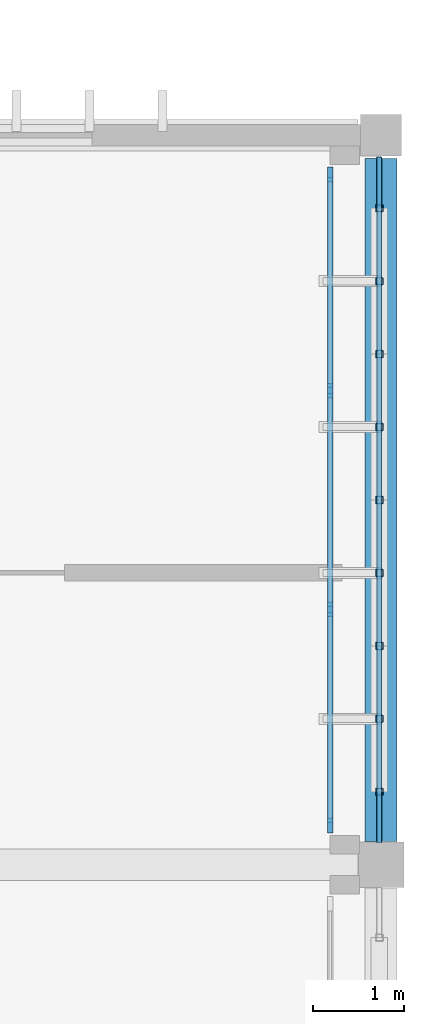
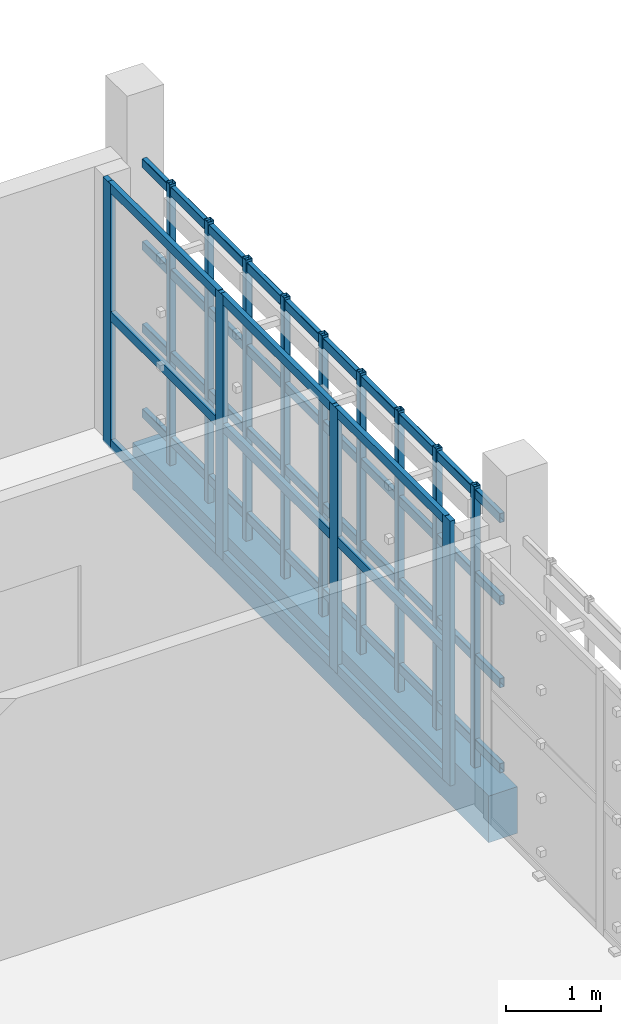
# One storey, part 23 of 48: 26 members, 1 beam, 1 element without a shape of its own.
"""IFC4 building model written with IfcOpenShell, lengths in metres."""

from ifc_helpers import new_model, si_unit, direction, frame, origin, origin_2d, place, context, subcontext, project, spatial, rectangle, hollow_rectangle, extrude, material, layer, layer_set, material_profile, profile_set, type_object, element, aggregate, save


model = new_model("IFC4")

# Units and contexts
model_context = context("Model", 3, precision=1e-05, world=origin(), true_north=direction((0.0, 1.0)))
body_context = subcontext(model_context, "Body", "Model", "MODEL_VIEW")
ifc_project = project(units=[si_unit("LENGTHUNIT", "METRE"), si_unit("AREAUNIT", "SQUARE_METRE"), si_unit("VOLUMEUNIT", "CUBIC_METRE"), si_unit("PLANEANGLEUNIT", "RADIAN"), si_unit("MASSUNIT", "GRAM", prefix="KILO")], contexts=[model_context])

# Site, building, storey
site_placement = place(None, origin())
site = spatial("IfcSite", under=ifc_project, at=site_placement, CompositionType="ELEMENT")
building_placement = place(site_placement, origin())
building = spatial("IfcBuilding", under=site, at=building_placement, Name="Jelvoka-Kovrelna Polytechnic", CompositionType="ELEMENT")
storey_placement = place(building_placement, frame((0.0, 0.0, 22.199951171875)))
storey = spatial("IfcBuildingStorey", under=building, at=storey_placement, Name="L06", CompositionType="ELEMENT", Elevation=22.199951171875)

# Beam
ifc_material_1 = material(Name="Concrete C35/45", Category="concrete")
ifc_material_profile_1 = material_profile(ifc_material_1, rectangle(XDim=0.35009765625, YDim=0.60009765625, at=origin_2d()), Name="RC 350x600")
ifc_profile_set_1 = profile_set([ifc_material_profile_1], Name="Concrete C35/45")
beam_type = type_object("IfcBeamType", Name="Beam_RC_350x600", PredefinedType="BEAM", material=ifc_profile_set_1)
beam_placement = place(storey_placement, frame((200.0, 40.2548828125, -0.5400390625), z_axis=(0.0, 1.0, 0.0), x_axis=(-1.0, 0.0, 0.0)))
element("IfcBeam", 1, at=beam_placement, inside=storey, type_object=beam_type, Name="L06 beam 1697", PredefinedType="BEAM", context=body_context, shape_type="SweptSolid", body=[
    extrude(rectangle(XDim=0.35009765625, YDim=0.60009765625, at=origin_2d()), origin(), (0.0, 0.0, 1.0), 7.490234375),
])

# Members
ifc_material_2 = material(Name="Structural steel S355J2H", Category="steel")
ifc_material_profile_2 = material_profile(ifc_material_2, hollow_rectangle(XDim=0.06005859375, YDim=0.1201171875, WallThickness=0.0048828125, InnerFilletRadius=0.0048828125, OuterFilletRadius=0.007568359375, at=origin_2d()), Name="120x60x5.0 RHS")
ifc_profile_set_2 = profile_set([ifc_material_profile_2], Name="Structural steel S355J2H")
member_type_1 = type_object("IfcMemberType", Name="Member_Strut_RHS120", PredefinedType="STRUT", material=ifc_profile_set_2)
for number, where, z_axis, x_axis, name in (
    (2, (199.97998046875, 40.239990234375, 0.080078125), (0.0, 1.0, 0.0), (-1.0, 0.0, 0.0), "L06 terracotta screen horizontal strut 0573"),
    (3, (199.97998046875, 40.239990234375, 1.17138671875), (0.0, 1.0, 0.0), (-1.0, 0.0, 0.0), "L06 terracotta screen horizontal strut 0574"),
    (4, (199.97998046875, 40.239990234375, 2.230712890625), (0.0, 1.0, 0.0), (-1.0, 0.0, 0.0), "L06 terracotta screen horizontal strut 0575"),
    (5, (199.97998046875, 40.239990234375, 3.2900390625), (0.0, 1.0, 0.0), (-1.0, 0.0, 0.0), "L06 terracotta screen horizontal strut 0576"),
):
    element("IfcMember", number, at=place(storey_placement, frame(where, z_axis=z_axis, x_axis=x_axis)), inside=storey, type_object=member_type_1, Name=name, PredefinedType="STRUT", context=body_context, shape_type="SweptSolid", body=[
        extrude(hollow_rectangle(XDim=0.06005859375, YDim=0.1201171875, WallThickness=0.0048828125, InnerFilletRadius=0.0048828125, OuterFilletRadius=0.007568359375, at=origin_2d()), origin(), (0.0, 0.0, 1.0), 7.52001953125),
    ])
ifc_material_3 = material(Name="Structural steel S355J2H", Category="steel")
ifc_material_profile_3 = material_profile(ifc_material_3, hollow_rectangle(XDim=0.080078125, YDim=0.080078125, WallThickness=0.0048828125, InnerFilletRadius=0.0048828125, OuterFilletRadius=0.007568359375, at=origin_2d()), Name="80x80x5.0 SHS")
ifc_profile_set_3 = profile_set([ifc_material_profile_3], Name="Structural steel S355J2H")
member_type_2 = type_object("IfcMemberType", Name="Member_Strut_SHS80", PredefinedType="STRUT", material=ifc_profile_set_3)
for number, where, z_axis, x_axis, name in (
    (6, (199.97998046875, 40.800048828125, -0.22998046875), (0.0, 0.0, 1.0), (1.0, 0.0, 0.0), "L06 terracotta lattice vertical rib 0577"),
    (7, (199.97998046875, 41.60009765625, -0.22998046875), (0.0, 0.0, 1.0), (1.0, 0.0, 0.0), "L06 terracotta lattice vertical rib 0578"),
    (8, (199.97998046875, 42.39990234375, -0.22998046875), (0.0, 0.0, 1.0), (1.0, 0.0, 0.0), "L06 terracotta lattice vertical rib 0579"),
    (9, (199.97998046875, 43.199951171875, -0.22998046875), (0.0, 0.0, 1.0), (1.0, 0.0, 0.0), "L06 terracotta lattice vertical rib 0580"),
    (10, (199.97998046875, 44.0, -0.22998046875), (0.0, 0.0, 1.0), (1.0, 0.0, 0.0), "L06 terracotta lattice vertical rib 0581"),
    (11, (199.97998046875, 44.800048828125, -0.22998046875), (0.0, 0.0, 1.0), (1.0, 0.0, 0.0), "L06 terracotta lattice vertical rib 0582"),
    (12, (199.97998046875, 45.60009765625, -0.22998046875), (0.0, 0.0, 1.0), (1.0, 0.0, 0.0), "L06 terracotta lattice vertical rib 0583"),
    (13, (199.97998046875, 46.39990234375, -0.22998046875), (0.0, 0.0, 1.0), (1.0, 0.0, 0.0), "L06 terracotta lattice vertical rib 0584"),
    (14, (199.97998046875, 47.199951171875, -0.22998046875), (0.0, 0.0, 1.0), (1.0, 0.0, 0.0), "L06 terracotta lattice vertical rib 0585"),
):
    element("IfcMember", number, at=place(storey_placement, frame(where, z_axis=z_axis, x_axis=x_axis)), inside=storey, type_object=member_type_2, Name=name, PredefinedType="STRUT", context=body_context, shape_type="SweptSolid", body=[
        extrude(hollow_rectangle(XDim=0.080078125, YDim=0.080078125, WallThickness=0.0048828125, InnerFilletRadius=0.0048828125, OuterFilletRadius=0.007568359375, at=origin_2d()), origin(), (0.0, 0.0, 1.0), 3.610107421875),
    ])

# Curtain wall, members
ifc_material_4 = material(Name="Anodised aluminium 6063-T6", Category="aluminium")
ifc_layer = layer(ifc_material_4, 0.159912109375)
ifc_layer_set = layer_set([ifc_layer], Name="Anodised aluminium 6063-T6")
curtain_wall_type = type_object("IfcCurtainWallType", Name="CW_Recessed_A", PredefinedType="NOTDEFINED", material=ifc_layer_set)
curtain_wall_placement = place(storey_placement, origin())
curtain_wall = element("IfcCurtainWall", 15, at=curtain_wall_placement, inside=storey, type_object=curtain_wall_type, Name="L06 glazed curtain wall 077", PredefinedType="NOTDEFINED")
ifc_material_5 = material(Name="Anodised aluminium 6063-T6", Category="aluminium")
ifc_material_profile_4 = material_profile(ifc_material_5, rectangle(XDim=0.06005859375, YDim=0.159912109375, at=origin_2d()), Name="ALU 60x160")
ifc_profile_set_4 = profile_set([ifc_material_profile_4], Name="Anodised aluminium 6063-T6")
member_type_3 = type_object("IfcMemberType", Name="Mullion_M-01", PredefinedType="MULLION", material=ifc_profile_set_4)
member_1_placement = place(storey_placement, frame((199.43994140625, 47.570068359375, -0.02490234375), z_axis=(0.0, 0.0, 1.0), x_axis=(1.0, 0.0, 0.0)))
member_1 = element("IfcMember", 16, at=member_1_placement, type_object=member_type_3, Name="CW-01 mullion 1", PredefinedType="MULLION", context=body_context, shape_type="SweptSolid", body=[
    extrude(rectangle(XDim=0.06005859375, YDim=0.159912109375, at=origin_2d()), origin(), (0.0, 0.0, 1.0), 3.400146484375),
])
member_2_placement = place(storey_placement, frame((199.43994140625, 45.199951171875, -0.02490234375), z_axis=(0.0, 0.0, 1.0), x_axis=(1.0, 0.0, 0.0)))
member_2 = element("IfcMember", 17, at=member_2_placement, type_object=member_type_3, Name="CW-01 mullion 2", PredefinedType="MULLION", context=body_context, shape_type="SweptSolid", body=[
    extrude(rectangle(XDim=0.06005859375, YDim=0.159912109375, at=origin_2d()), origin(), (0.0, 0.0, 1.0), 3.400146484375),
])
member_3_placement = place(storey_placement, frame((199.43994140625, 42.800048828125, -0.02490234375), z_axis=(0.0, 0.0, 1.0), x_axis=(1.0, 0.0, 0.0)))
member_3 = element("IfcMember", 18, at=member_3_placement, type_object=member_type_3, Name="CW-01 mullion 3", PredefinedType="MULLION", context=body_context, shape_type="SweptSolid", body=[
    extrude(rectangle(XDim=0.06005859375, YDim=0.159912109375, at=origin_2d()), origin(), (0.0, 0.0, 1.0), 3.400146484375),
])
member_4_placement = place(storey_placement, frame((199.43994140625, 40.429931640625, -0.02490234375), z_axis=(0.0, 0.0, 1.0), x_axis=(1.0, 0.0, 0.0)))
member_4 = element("IfcMember", 19, at=member_4_placement, type_object=member_type_3, Name="CW-01 mullion 4", PredefinedType="MULLION", context=body_context, shape_type="SweptSolid", body=[
    extrude(rectangle(XDim=0.06005859375, YDim=0.159912109375, at=origin_2d()), origin(), (0.0, 0.0, 1.0), 3.400146484375),
])
ifc_material_6 = material(Name="Anodised aluminium 6063-T6", Category="aluminium")
ifc_material_profile_5 = material_profile(ifc_material_6, rectangle(XDim=0.06005859375, YDim=0.1201171875, at=origin_2d()), Name="ALU 60x120")
ifc_profile_set_5 = profile_set([ifc_material_profile_5], Name="Anodised aluminium 6063-T6")
member_type_4 = type_object("IfcMemberType", Name="Transom_T-01", PredefinedType="USERDEFINED", material=ifc_profile_set_5)
member_5_placement = place(storey_placement, frame((199.43994140625, 47.5400390625, 0.030029296875), z_axis=(0.0, -1.0, 0.0), x_axis=(1.0, 0.0, 0.0)))
member_5 = element("IfcMember", 20, at=member_5_placement, type_object=member_type_4, Name="CW-01 transom 1.1", ObjectType="TRANSOM", PredefinedType="USERDEFINED", context=body_context, shape_type="SweptSolid", body=[
    extrude(rectangle(XDim=0.06005859375, YDim=0.1201171875, at=origin_2d()), origin(), (0.0, 0.0, 1.0), 2.31005859375),
])
member_6_placement = place(storey_placement, frame((199.43994140625, 47.5400390625, 1.675048828125), z_axis=(0.0, -1.0, 0.0), x_axis=(1.0, 0.0, 0.0)))
member_6 = element("IfcMember", 21, at=member_6_placement, type_object=member_type_4, Name="CW-01 transom 1.2", ObjectType="TRANSOM", PredefinedType="USERDEFINED", context=body_context, shape_type="SweptSolid", body=[
    extrude(rectangle(XDim=0.06005859375, YDim=0.1201171875, at=origin_2d()), origin(), (0.0, 0.0, 1.0), 2.31005859375),
])
member_7_placement = place(storey_placement, frame((199.43994140625, 47.5400390625, 3.320068359375), z_axis=(0.0, -1.0, 0.0), x_axis=(1.0, 0.0, 0.0)))
member_7 = element("IfcMember", 22, at=member_7_placement, type_object=member_type_4, Name="CW-01 transom 1.3", ObjectType="TRANSOM", PredefinedType="USERDEFINED", context=body_context, shape_type="SweptSolid", body=[
    extrude(rectangle(XDim=0.06005859375, YDim=0.1201171875, at=origin_2d()), origin(), (0.0, 0.0, 1.0), 2.31005859375),
])
member_8_placement = place(storey_placement, frame((199.43994140625, 45.169921875, 0.030029296875), z_axis=(0.0, -1.0, 0.0), x_axis=(1.0, 0.0, 0.0)))
member_8 = element("IfcMember", 23, at=member_8_placement, type_object=member_type_4, Name="CW-01 transom 2.1", ObjectType="TRANSOM", PredefinedType="USERDEFINED", context=body_context, shape_type="SweptSolid", body=[
    extrude(rectangle(XDim=0.06005859375, YDim=0.1201171875, at=origin_2d()), origin(), (0.0, 0.0, 1.0), 2.33984375),
])
member_9_placement = place(storey_placement, frame((199.43994140625, 45.169921875, 1.675048828125), z_axis=(0.0, -1.0, 0.0), x_axis=(1.0, 0.0, 0.0)))
member_9 = element("IfcMember", 24, at=member_9_placement, type_object=member_type_4, Name="CW-01 transom 2.2", ObjectType="TRANSOM", PredefinedType="USERDEFINED", context=body_context, shape_type="SweptSolid", body=[
    extrude(rectangle(XDim=0.06005859375, YDim=0.1201171875, at=origin_2d()), origin(), (0.0, 0.0, 1.0), 2.33984375),
])
member_10_placement = place(storey_placement, frame((199.43994140625, 45.169921875, 3.320068359375), z_axis=(0.0, -1.0, 0.0), x_axis=(1.0, 0.0, 0.0)))
member_10 = element("IfcMember", 25, at=member_10_placement, type_object=member_type_4, Name="CW-01 transom 2.3", ObjectType="TRANSOM", PredefinedType="USERDEFINED", context=body_context, shape_type="SweptSolid", body=[
    extrude(rectangle(XDim=0.06005859375, YDim=0.1201171875, at=origin_2d()), origin(), (0.0, 0.0, 1.0), 2.33984375),
])
member_11_placement = place(storey_placement, frame((199.43994140625, 42.77001953125, 0.030029296875), z_axis=(0.0, -1.0, 0.0), x_axis=(1.0, 0.0, 0.0)))
member_11 = element("IfcMember", 26, at=member_11_placement, type_object=member_type_4, Name="CW-01 transom 3.1", ObjectType="TRANSOM", PredefinedType="USERDEFINED", context=body_context, shape_type="SweptSolid", body=[
    extrude(rectangle(XDim=0.06005859375, YDim=0.1201171875, at=origin_2d()), origin(), (0.0, 0.0, 1.0), 2.31005859375),
])
member_12_placement = place(storey_placement, frame((199.43994140625, 42.77001953125, 1.675048828125), z_axis=(0.0, -1.0, 0.0), x_axis=(1.0, 0.0, 0.0)))
member_12 = element("IfcMember", 27, at=member_12_placement, type_object=member_type_4, Name="CW-01 transom 3.2", ObjectType="TRANSOM", PredefinedType="USERDEFINED", context=body_context, shape_type="SweptSolid", body=[
    extrude(rectangle(XDim=0.06005859375, YDim=0.1201171875, at=origin_2d()), origin(), (0.0, 0.0, 1.0), 2.31005859375),
])
member_13_placement = place(storey_placement, frame((199.43994140625, 42.77001953125, 3.320068359375), z_axis=(0.0, -1.0, 0.0), x_axis=(1.0, 0.0, 0.0)))
member_13 = element("IfcMember", 28, at=member_13_placement, type_object=member_type_4, Name="CW-01 transom 3.3", ObjectType="TRANSOM", PredefinedType="USERDEFINED", context=body_context, shape_type="SweptSolid", body=[
    extrude(rectangle(XDim=0.06005859375, YDim=0.1201171875, at=origin_2d()), origin(), (0.0, 0.0, 1.0), 2.31005859375),
])
aggregate(curtain_wall, [member_1, member_2, member_3, member_4, member_5, member_6, member_7, member_8, member_9, member_10, member_11, member_12, member_13])

save(model, "model.ifc")
